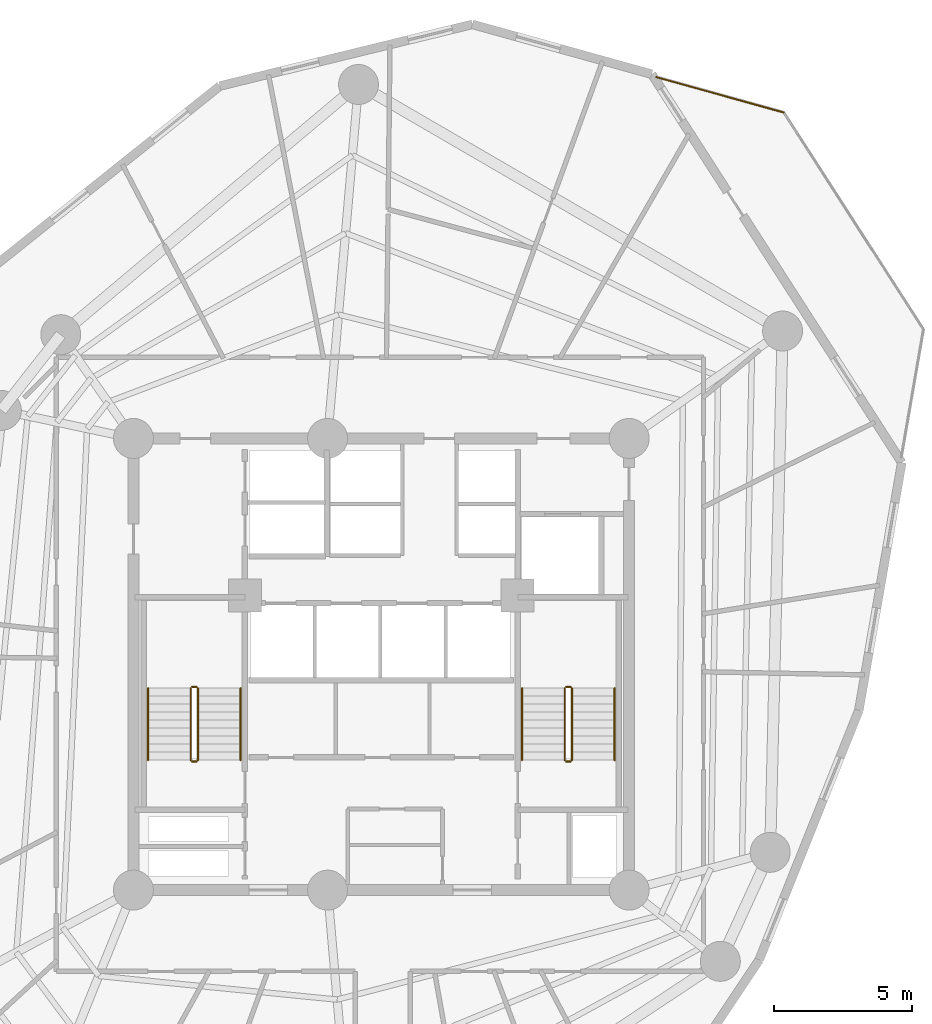
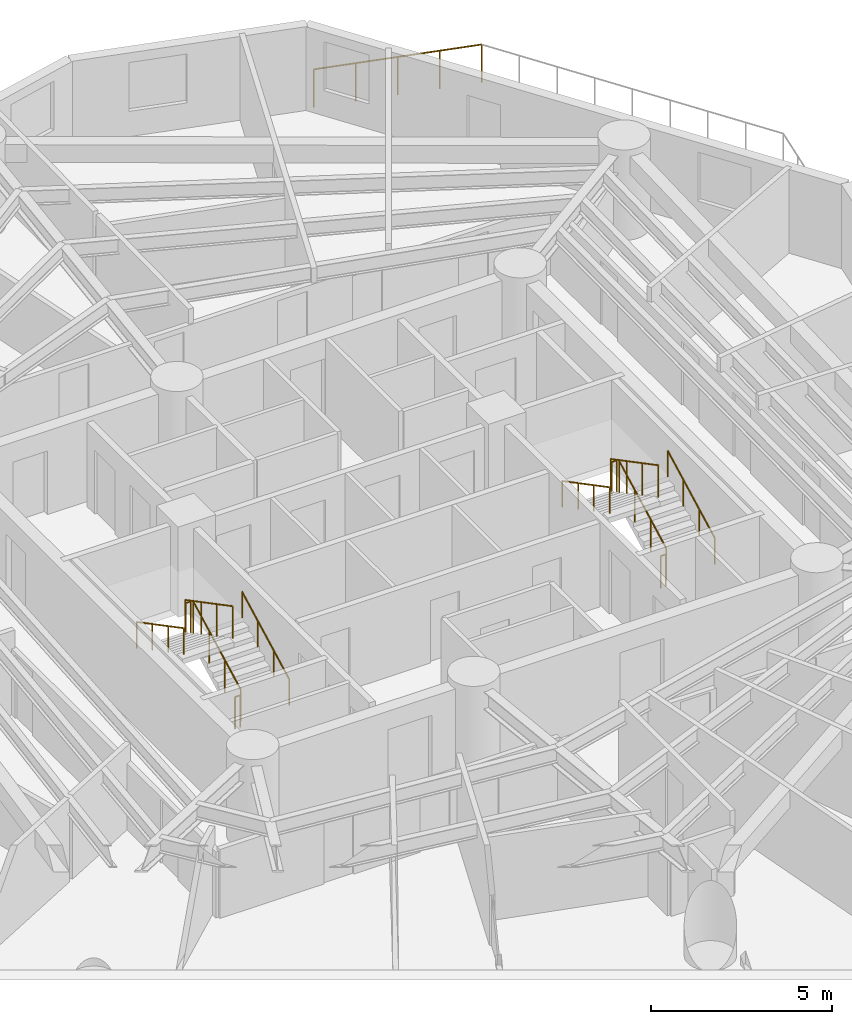
# One storey, part 7 of 8: 13 railings.
"""IFC4 building model written with IfcOpenShell, lengths in metres."""

from ifc_helpers import new_model, si_unit, direction, frame, origin, origin_2d, place, context, subcontext, project, spatial, circle, extrude, material, layer, layer_set, type_object, element, save


model = new_model("IFC4")

# Units and contexts
model_context = context("Model", 3, precision=1e-05, world=origin(), true_north=direction((0.0, 1.0)))
body_context = subcontext(model_context, "Body", "Model", "MODEL_VIEW")
ifc_project = project(units=[si_unit("LENGTHUNIT", "METRE"), si_unit("AREAUNIT", "SQUARE_METRE"), si_unit("VOLUMEUNIT", "CUBIC_METRE"), si_unit("PLANEANGLEUNIT", "RADIAN"), si_unit("MASSUNIT", "GRAM", prefix="KILO")], contexts=[model_context])

# Site, building, storey
site_placement = place(None, origin())
site = spatial("IfcSite", under=ifc_project, at=site_placement, CompositionType="ELEMENT")
building_placement = place(site_placement, origin())
building = spatial("IfcBuilding", under=site, at=building_placement, Name="Karkom Vertical University and Central Library", CompositionType="ELEMENT")
storey_placement = place(building_placement, frame((0.0, 0.0, 132.800048828125)))
storey = spatial("IfcBuildingStorey", under=building, at=storey_placement, Name="L37", CompositionType="ELEMENT", Elevation=132.800048828125)

# Railings
ifc_material_1 = material(Name="Architectural painted steel & laminated glass balustrade", Category="steel")
ifc_layer_1 = layer(ifc_material_1, 0.090087890625)
ifc_layer_set_1 = layer_set([ifc_layer_1], Name="Architectural painted steel & laminated glass balustrade")
railing_type_1 = type_object("IfcRailingType", Name="ENV-RL-BAL1300", PredefinedType="BALUSTRADE", material=ifc_layer_set_1)
railing_1_placement = place(storey_placement, frame((38.485595703125, 47.819580078125, 0.0)))
element("IfcRailing", 1, at=railing_1_placement, inside=storey, type_object=railing_type_1, Name="Level 37 Planted Terrace Safety Balustrade 03", PredefinedType="BALUSTRADE", context=body_context, shape_type="SweptSolid", body=[
    extrude(circle(Radius=0.02392578125, at=origin_2d()), frame((0.0, 0.0, 1.27587890625), z_axis=(0.963538335981, -0.267570318036, 0.0), x_axis=(0.267570318036, 0.963538335981, 0.0)), (0.0, 0.0, 1.0), 4.7939453125),
    extrude(circle(Radius=0.02099609375, at=origin_2d()), origin(), (0.0, 0.0, 1.0), 1.251953125),
    extrude(circle(Radius=0.02099609375, at=origin_2d()), frame((1.15478515625, -0.32080078125, 0.0)), (0.0, 0.0, 1.0), 1.251953125),
    extrude(circle(Radius=0.02099609375, at=origin_2d()), frame((2.3095703125, -0.641357421875, 0.0)), (0.0, 0.0, 1.0), 1.251953125),
    extrude(circle(Radius=0.02099609375, at=origin_2d()), frame((3.46435546875, -0.9619140625, 0.0)), (0.0, 0.0, 1.0), 1.251953125),
    extrude(circle(Radius=0.02099609375, at=origin_2d()), frame((4.619140625, -1.28271484375, 0.0)), (0.0, 0.0, 1.0), 1.251953125),
])
ifc_material_2 = material(Name="Painted galvanised steel balustrade", Category="steel")
ifc_layer_2 = layer(ifc_material_2, 0.06005859375)
ifc_layer_set_2 = layer_set([ifc_layer_2], Name="Painted galvanised steel balustrade")
railing_type_2 = type_object("IfcRailingType", Name="INT-RL-GUARD1100", PredefinedType="GUARDRAIL", material=ifc_layer_set_2)
railing_2_placement = place(storey_placement, frame((21.840087890625, 23.02001953125, 0.15234375)))
element("IfcRailing", 2, at=railing_2_placement, inside=storey, type_object=railing_type_2, Name="Level 37 ST-1 stair guard 1", PredefinedType="GUARDRAIL", context=body_context, shape_type="SweptSolid", body=[
    extrude(circle(Radius=0.02392578125, at=origin_2d()), frame((0.0, 0.0, 1.076171875), z_axis=(0.0, 0.885065446896, 0.46546659892), x_axis=(-1.0, 0.0, 0.0)), (0.0, 0.0, 1.0), 2.94873046875),
    extrude(circle(Radius=0.02099609375, at=origin_2d()), origin(), (0.0, 0.0, 1.0), 1.052001953125),
    extrude(circle(Radius=0.02099609375, at=origin_2d()), frame((0.0, 0.869873046875, 0.45751953125)), (0.0, 0.0, 1.0), 1.052001953125),
    extrude(circle(Radius=0.02099609375, at=origin_2d()), frame((0.0, 1.739990234375, 0.9150390625)), (0.0, 0.0, 1.0), 1.052001953125),
    extrude(circle(Radius=0.02099609375, at=origin_2d()), frame((0.0, 2.60986328125, 1.37255859375)), (0.0, 0.0, 1.0), 1.052001953125),
])
railing_3_placement = place(storey_placement, frame((21.7900390625, 25.679931640625, 1.52490234375)))
element("IfcRailing", 3, at=railing_3_placement, inside=storey, type_object=railing_type_2, Name="Level 37 ST-1 stair guard 2", PredefinedType="GUARDRAIL", context=body_context, shape_type="SweptSolid", body=[
    extrude(circle(Radius=0.02392578125, at=origin_2d()), frame((0.0, 0.0, 1.076171875), z_axis=(-1.0, 0.0, 0.0), x_axis=(0.0, -1.0, 0.0)), (0.0, 0.0, 1.0), 0.16015625),
    extrude(circle(Radius=0.02099609375, at=origin_2d()), origin(), (0.0, 0.0, 1.0), 1.052001953125),
    extrude(circle(Radius=0.02099609375, at=origin_2d()), frame((-0.16015625, 0.0, 0.0)), (0.0, 0.0, 1.0), 1.052001953125),
])
railing_4_placement = place(storey_placement, frame((21.580078125, 25.6298828125, 1.677490234375)))
element("IfcRailing", 4, at=railing_4_placement, inside=storey, type_object=railing_type_2, Name="Level 37 ST-1 stair guard 3", PredefinedType="GUARDRAIL", context=body_context, shape_type="SweptSolid", body=[
    extrude(circle(Radius=0.02392578125, at=origin_2d()), frame((0.0, 0.0, 1.076171875), z_axis=(0.0, -0.885065446896, 0.46546659892), x_axis=(1.0, 0.0, 0.0)), (0.0, 0.0, 1.0), 2.94873046875),
    extrude(circle(Radius=0.02099609375, at=origin_2d()), origin(), (0.0, 0.0, 1.0), 1.052001953125),
    extrude(circle(Radius=0.02099609375, at=origin_2d()), frame((0.0, -0.869873046875, 0.45751953125)), (0.0, 0.0, 1.0), 1.052001953125),
    extrude(circle(Radius=0.02099609375, at=origin_2d()), frame((0.0, -1.739990234375, 0.9150390625)), (0.0, 0.0, 1.0), 1.052001953125),
    extrude(circle(Radius=0.02099609375, at=origin_2d()), frame((0.0, -2.60986328125, 1.37255859375)), (0.0, 0.0, 1.0), 1.052001953125),
])
railing_5_placement = place(storey_placement, frame((21.7900390625, 22.969970703125, 0.0)))
element("IfcRailing", 5, at=railing_5_placement, inside=storey, type_object=railing_type_2, Name="Level 37 ST-1 stair guard 4", PredefinedType="GUARDRAIL", context=body_context, shape_type="SweptSolid", body=[
    extrude(circle(Radius=0.02392578125, at=origin_2d()), frame((0.0, 0.0, 1.076171875), z_axis=(-1.0, 0.0, 0.0), x_axis=(0.0, -1.0, 0.0)), (0.0, 0.0, 1.0), 0.16015625),
    extrude(circle(Radius=0.02099609375, at=origin_2d()), origin(), (0.0, 0.0, 1.0), 1.052001953125),
    extrude(circle(Radius=0.02099609375, at=origin_2d()), frame((-0.16015625, 0.0, 0.0)), (0.0, 0.0, 1.0), 1.052001953125),
])
railing_6_placement = place(storey_placement, frame((35.419921875, 23.02001953125, 0.15234375)))
element("IfcRailing", 6, at=railing_6_placement, inside=storey, type_object=railing_type_2, Name="Level 37 ST-2 stair guard 1", PredefinedType="GUARDRAIL", context=body_context, shape_type="SweptSolid", body=[
    extrude(circle(Radius=0.02392578125, at=origin_2d()), frame((0.0, 0.0, 1.076171875), z_axis=(0.0, 0.885065446896, 0.46546659892), x_axis=(-1.0, 0.0, 0.0)), (0.0, 0.0, 1.0), 2.94873046875),
    extrude(circle(Radius=0.02099609375, at=origin_2d()), origin(), (0.0, 0.0, 1.0), 1.052001953125),
    extrude(circle(Radius=0.02099609375, at=origin_2d()), frame((0.0, 0.869873046875, 0.45751953125)), (0.0, 0.0, 1.0), 1.052001953125),
    extrude(circle(Radius=0.02099609375, at=origin_2d()), frame((0.0, 1.739990234375, 0.9150390625)), (0.0, 0.0, 1.0), 1.052001953125),
    extrude(circle(Radius=0.02099609375, at=origin_2d()), frame((0.0, 2.60986328125, 1.37255859375)), (0.0, 0.0, 1.0), 1.052001953125),
])
railing_7_placement = place(storey_placement, frame((35.3701171875, 25.679931640625, 1.52490234375)))
element("IfcRailing", 7, at=railing_7_placement, inside=storey, type_object=railing_type_2, Name="Level 37 ST-2 stair guard 2", PredefinedType="GUARDRAIL", context=body_context, shape_type="SweptSolid", body=[
    extrude(circle(Radius=0.02392578125, at=origin_2d()), frame((0.0, 0.0, 1.076171875), z_axis=(-1.0, 0.0, 0.0), x_axis=(0.0, -1.0, 0.0)), (0.0, 0.0, 1.0), 0.16015625),
    extrude(circle(Radius=0.02099609375, at=origin_2d()), origin(), (0.0, 0.0, 1.0), 1.052001953125),
    extrude(circle(Radius=0.02099609375, at=origin_2d()), frame((-0.16015625, 0.0, 0.0)), (0.0, 0.0, 1.0), 1.052001953125),
])
railing_8_placement = place(storey_placement, frame((35.159912109375, 25.6298828125, 1.677490234375)))
element("IfcRailing", 8, at=railing_8_placement, inside=storey, type_object=railing_type_2, Name="Level 37 ST-2 stair guard 3", PredefinedType="GUARDRAIL", context=body_context, shape_type="SweptSolid", body=[
    extrude(circle(Radius=0.02392578125, at=origin_2d()), frame((0.0, 0.0, 1.076171875), z_axis=(0.0, -0.885065446896, 0.46546659892), x_axis=(1.0, 0.0, 0.0)), (0.0, 0.0, 1.0), 2.94873046875),
    extrude(circle(Radius=0.02099609375, at=origin_2d()), origin(), (0.0, 0.0, 1.0), 1.052001953125),
    extrude(circle(Radius=0.02099609375, at=origin_2d()), frame((0.0, -0.869873046875, 0.45751953125)), (0.0, 0.0, 1.0), 1.052001953125),
    extrude(circle(Radius=0.02099609375, at=origin_2d()), frame((0.0, -1.739990234375, 0.9150390625)), (0.0, 0.0, 1.0), 1.052001953125),
    extrude(circle(Radius=0.02099609375, at=origin_2d()), frame((0.0, -2.60986328125, 1.37255859375)), (0.0, 0.0, 1.0), 1.052001953125),
])
railing_9_placement = place(storey_placement, frame((35.3701171875, 22.969970703125, 0.0)))
element("IfcRailing", 9, at=railing_9_placement, inside=storey, type_object=railing_type_2, Name="Level 37 ST-2 stair guard 4", PredefinedType="GUARDRAIL", context=body_context, shape_type="SweptSolid", body=[
    extrude(circle(Radius=0.02392578125, at=origin_2d()), frame((0.0, 0.0, 1.076171875), z_axis=(-1.0, 0.0, 0.0), x_axis=(0.0, -1.0, 0.0)), (0.0, 0.0, 1.0), 0.16015625),
    extrude(circle(Radius=0.02099609375, at=origin_2d()), origin(), (0.0, 0.0, 1.0), 1.052001953125),
    extrude(circle(Radius=0.02099609375, at=origin_2d()), frame((-0.16015625, 0.0, 0.0)), (0.0, 0.0, 1.0), 1.052001953125),
])
ifc_material_3 = material(Name="Brushed stainless-steel tubular handrail", Category="steel")
ifc_layer_3 = layer(ifc_material_3, 0.048095703125)
ifc_layer_set_3 = layer_set([ifc_layer_3], Name="Brushed stainless-steel tubular handrail")
railing_type_3 = type_object("IfcRailingType", Name="INT-RL-HAND920", PredefinedType="HANDRAIL", material=ifc_layer_set_3)
railing_10_placement = place(storey_placement, frame((23.389892578125, 23.02001953125, 0.15234375)))
element("IfcRailing", 10, at=railing_10_placement, inside=storey, type_object=railing_type_3, Name="Level 37 ST-1 stair handrail 1", PredefinedType="HANDRAIL", context=body_context, shape_type="SweptSolid", body=[
    extrude(circle(Radius=0.02392578125, at=origin_2d()), frame((0.0, 0.0, 0.8759765625), z_axis=(0.0, 0.885065446896, 0.46546659892), x_axis=(-1.0, 0.0, 0.0)), (0.0, 0.0, 1.0), 2.94873046875),
    extrude(circle(Radius=0.02099609375, at=origin_2d()), origin(), (0.0, 0.0, 1.0), 0.851806640625),
    extrude(circle(Radius=0.02099609375, at=origin_2d()), frame((0.0, 0.869873046875, 0.45751953125)), (0.0, 0.0, 1.0), 0.851806640625),
    extrude(circle(Radius=0.02099609375, at=origin_2d()), frame((0.0, 1.739990234375, 0.9150390625)), (0.0, 0.0, 1.0), 0.851806640625),
    extrude(circle(Radius=0.02099609375, at=origin_2d()), frame((0.0, 2.60986328125, 1.37255859375)), (0.0, 0.0, 1.0), 0.851806640625),
])
railing_11_placement = place(storey_placement, frame((20.030029296875, 25.6298828125, 1.677490234375)))
element("IfcRailing", 11, at=railing_11_placement, inside=storey, type_object=railing_type_3, Name="Level 37 ST-1 stair handrail 2", PredefinedType="HANDRAIL", context=body_context, shape_type="SweptSolid", body=[
    extrude(circle(Radius=0.02392578125, at=origin_2d()), frame((0.0, 0.0, 0.8759765625), z_axis=(0.0, -0.885065446896, 0.46546659892), x_axis=(1.0, 0.0, 0.0)), (0.0, 0.0, 1.0), 2.94873046875),
    extrude(circle(Radius=0.02099609375, at=origin_2d()), origin(), (0.0, 0.0, 1.0), 0.851806640625),
    extrude(circle(Radius=0.02099609375, at=origin_2d()), frame((0.0, -0.869873046875, 0.45751953125)), (0.0, 0.0, 1.0), 0.851806640625),
    extrude(circle(Radius=0.02099609375, at=origin_2d()), frame((0.0, -1.739990234375, 0.9150390625)), (0.0, 0.0, 1.0), 0.851806640625),
    extrude(circle(Radius=0.02099609375, at=origin_2d()), frame((0.0, -2.60986328125, 1.37255859375)), (0.0, 0.0, 1.0), 0.851806640625),
])
railing_12_placement = place(storey_placement, frame((36.969970703125, 23.02001953125, 0.15234375)))
element("IfcRailing", 12, at=railing_12_placement, inside=storey, type_object=railing_type_3, Name="Level 37 ST-2 stair handrail 1", PredefinedType="HANDRAIL", context=body_context, shape_type="SweptSolid", body=[
    extrude(circle(Radius=0.02392578125, at=origin_2d()), frame((0.0, 0.0, 0.8759765625), z_axis=(0.0, 0.885065446896, 0.46546659892), x_axis=(-1.0, 0.0, 0.0)), (0.0, 0.0, 1.0), 2.94873046875),
    extrude(circle(Radius=0.02099609375, at=origin_2d()), origin(), (0.0, 0.0, 1.0), 0.851806640625),
    extrude(circle(Radius=0.02099609375, at=origin_2d()), frame((0.0, 0.869873046875, 0.45751953125)), (0.0, 0.0, 1.0), 0.851806640625),
    extrude(circle(Radius=0.02099609375, at=origin_2d()), frame((0.0, 1.739990234375, 0.9150390625)), (0.0, 0.0, 1.0), 0.851806640625),
    extrude(circle(Radius=0.02099609375, at=origin_2d()), frame((0.0, 2.60986328125, 1.37255859375)), (0.0, 0.0, 1.0), 0.851806640625),
])
railing_13_placement = place(storey_placement, frame((33.610107421875, 25.6298828125, 1.677490234375)))
element("IfcRailing", 13, at=railing_13_placement, inside=storey, type_object=railing_type_3, Name="Level 37 ST-2 stair handrail 2", PredefinedType="HANDRAIL", context=body_context, shape_type="SweptSolid", body=[
    extrude(circle(Radius=0.02392578125, at=origin_2d()), frame((0.0, 0.0, 0.8759765625), z_axis=(0.0, -0.885065446896, 0.46546659892), x_axis=(1.0, 0.0, 0.0)), (0.0, 0.0, 1.0), 2.94873046875),
    extrude(circle(Radius=0.02099609375, at=origin_2d()), origin(), (0.0, 0.0, 1.0), 0.851806640625),
    extrude(circle(Radius=0.02099609375, at=origin_2d()), frame((0.0, -0.869873046875, 0.45751953125)), (0.0, 0.0, 1.0), 0.851806640625),
    extrude(circle(Radius=0.02099609375, at=origin_2d()), frame((0.0, -1.739990234375, 0.9150390625)), (0.0, 0.0, 1.0), 0.851806640625),
    extrude(circle(Radius=0.02099609375, at=origin_2d()), frame((0.0, -2.60986328125, 1.37255859375)), (0.0, 0.0, 1.0), 0.851806640625),
])

save(model, "model.ifc")
